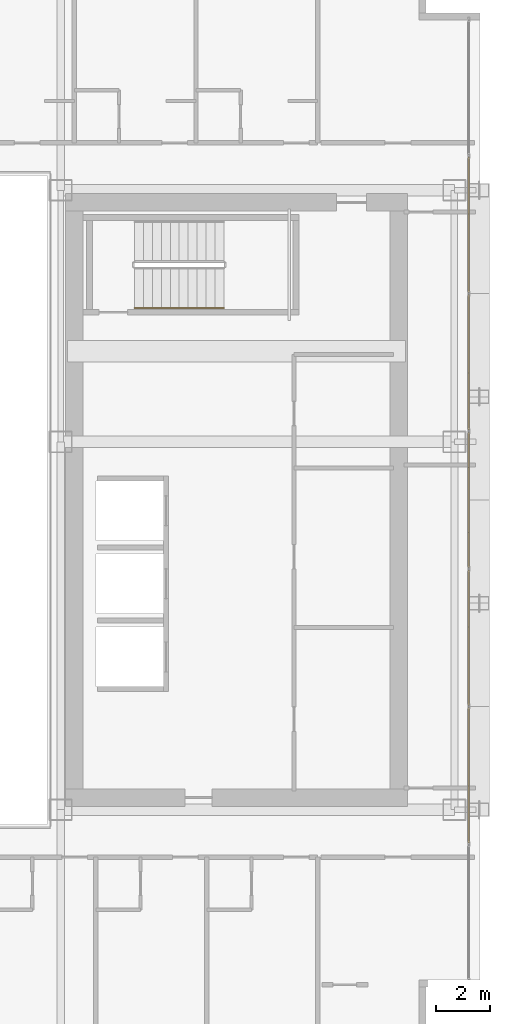
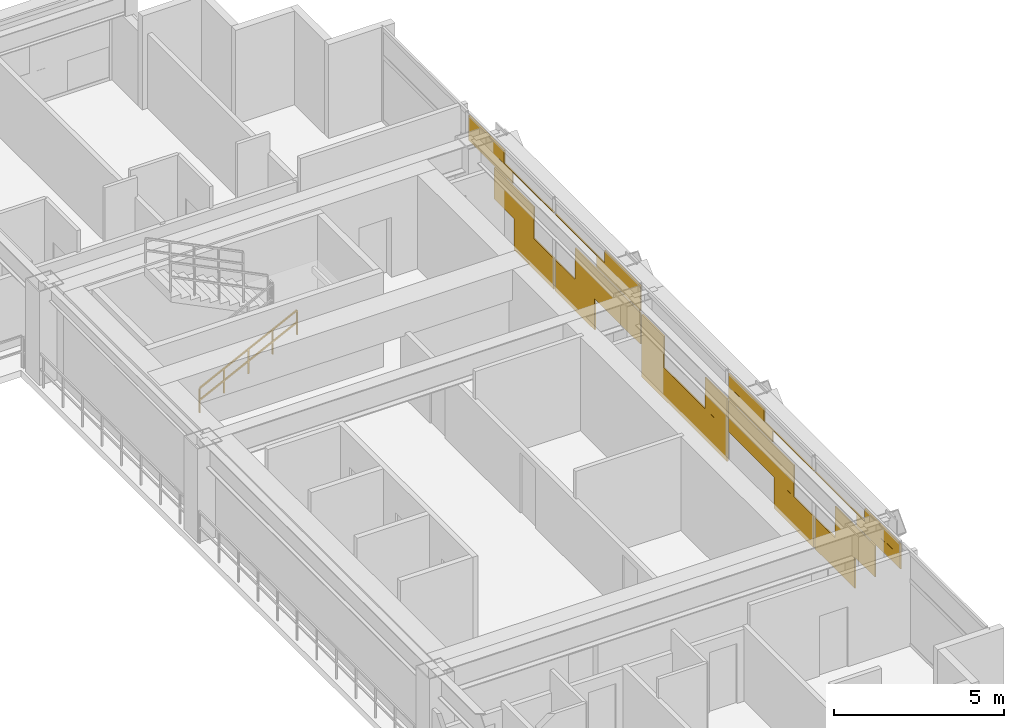
# One storey, part 35 of 36: 1 covering, 1 railing.
"""IFC4 building model written with IfcOpenShell, lengths in metres."""

from ifc_helpers import new_model, si_unit, direction, frame, origin, origin_2d, place, context, subcontext, project, spatial, rectangle, extrude, material, layer, layer_set, type_object, element, save


model = new_model("IFC4")

# Units and contexts
model_context = context("Model", 3, precision=1e-05, world=origin(), true_north=direction((0.0, 1.0)))
body_context = subcontext(model_context, "Body", "Model", "MODEL_VIEW")
ifc_project = project(units=[si_unit("LENGTHUNIT", "METRE"), si_unit("AREAUNIT", "SQUARE_METRE"), si_unit("VOLUMEUNIT", "CUBIC_METRE"), si_unit("PLANEANGLEUNIT", "RADIAN"), si_unit("MASSUNIT", "GRAM", prefix="KILO")], contexts=[model_context])

# Site, building, storey
site_placement = place(None, origin())
site = spatial("IfcSite", under=ifc_project, at=site_placement, CompositionType="ELEMENT")
building_placement = place(site_placement, origin())
building = spatial("IfcBuilding", under=site, at=building_placement, Name="Ocotamira Hotel", CompositionType="ELEMENT")
storey_placement = place(building_placement, frame((0.0, 0.0, 136.800048828125)))
storey = spatial("IfcBuildingStorey", under=building, at=storey_placement, Name="L34", CompositionType="ELEMENT", Elevation=136.800048828125)

# Covering
ifc_material_1 = material(Name="Insulated pale-metal aluminium spandrel panel", Category="aluminium")
ifc_layer = layer(ifc_material_1, 0.044921875)
ifc_layer_set = layer_set([ifc_layer], Name="Insulated pale-metal aluminium spandrel panel")
covering_type = type_object("IfcCoveringType", Name="COV-INFILL-45", PredefinedType="CLADDING", material=ifc_layer_set)
covering_placement = place(storey_placement, origin())
element("IfcCovering", 1, at=covering_placement, inside=storey, type_object=covering_type, Name="L34 Curtain Wall Infill CW-3 CW-L34-E", PredefinedType="CLADDING", context=body_context, shape_type="SweptSolid", body=[
    extrude(rectangle(XDim=2.35107421875, YDim=0.044921875, at=origin_2d()), frame((55.580078125, 15.988525390625, 1.19384765625), z_axis=(0.0, 0.0, 1.0), x_axis=(0.0, 1.0, 0.0)), (0.0, 0.0, 1.0), 1.117919921875),
    extrude(rectangle(XDim=2.331787109375, YDim=0.044921875, at=origin_2d()), frame((55.580078125, 17.1650390625, 0.0751953125), z_axis=(0.0, 0.0, 1.0), x_axis=(0.0, 1.0, 0.0)), (0.0, 0.0, 1.0), 1.117919921875),
    extrude(rectangle(XDim=2.572265625, YDim=0.044921875, at=origin_2d()), frame((55.580078125, 14.6123046875, 2.38818359375), z_axis=(0.0, 0.0, 1.0), x_axis=(0.0, 1.0, 0.0)), (0.0, 0.0, 1.0), 0.413330078125),
    extrude(rectangle(XDim=5.004638671875, YDim=0.044921875, at=origin_2d()), frame((55.580078125, 15.82861328125, 2.80224609375), z_axis=(0.0, 0.0, 1.0), x_axis=(0.0, 1.0, 0.0)), (0.0, 0.0, 1.0), 0.033203125),
    extrude(rectangle(XDim=2.096435546875, YDim=0.044921875, at=origin_2d()), frame((55.580078125, 14.37451171875, 2.836669921875), z_axis=(0.0, 0.0, 1.0), x_axis=(0.0, 1.0, 0.0)), (0.0, 0.0, 1.0), 0.44775390625),
    extrude(rectangle(XDim=2.322265625, YDim=0.044921875, at=origin_2d()), frame((55.580078125, 19.572998046875, 0.0751953125), z_axis=(0.0, 0.0, 1.0), x_axis=(0.0, 1.0, 0.0)), (0.0, 0.0, 1.0), 1.117919921875),
    extrude(rectangle(XDim=3.847412109375, YDim=0.044921875, at=origin_2d()), frame((55.580078125, 21.492919921875, 1.19384765625), z_axis=(0.0, 0.0, 1.0), x_axis=(0.0, 1.0, 0.0)), (0.0, 0.0, 1.0), 1.117919921875),
    extrude(rectangle(XDim=5.004638671875, YDim=0.044921875, at=origin_2d()), frame((55.580078125, 20.914306640625, 2.80224609375), z_axis=(0.0, 0.0, 1.0), x_axis=(0.0, 1.0, 0.0)), (0.0, 0.0, 1.0), 0.033203125),
    extrude(rectangle(XDim=2.581787109375, YDim=0.044921875, at=origin_2d()), frame((55.580078125, 22.125732421875, 2.38818359375), z_axis=(0.0, 0.0, 1.0), x_axis=(0.0, 1.0, 0.0)), (0.0, 0.0, 1.0), 0.413330078125),
    extrude(rectangle(XDim=2.106201171875, YDim=0.044921875, at=origin_2d()), frame((55.580078125, 22.363525390625, 2.836669921875), z_axis=(0.0, 0.0, 1.0), x_axis=(0.0, 1.0, 0.0)), (0.0, 0.0, 1.0), 0.44775390625),
    extrude(rectangle(XDim=5.004638671875, YDim=0.044921875, at=origin_2d()), frame((55.580078125, 26.0, 0.0751953125), z_axis=(0.0, 0.0, 1.0), x_axis=(0.0, 1.0, 0.0)), (0.0, 0.0, 1.0), 1.117919921875),
    extrude(rectangle(XDim=1.2998046875, YDim=0.044921875, at=origin_2d()), frame((55.580078125, 24.1474609375, 1.19384765625), z_axis=(0.0, 0.0, 1.0), x_axis=(0.0, 1.0, 0.0)), (0.0, 0.0, 1.0), 1.117919921875),
    extrude(rectangle(XDim=1.2998046875, YDim=0.044921875, at=origin_2d()), frame((55.580078125, 27.8525390625, 1.19384765625), z_axis=(0.0, 0.0, 1.0), x_axis=(0.0, 1.0, 0.0)), (0.0, 0.0, 1.0), 1.117919921875),
    extrude(rectangle(XDim=3.847412109375, YDim=0.044921875, at=origin_2d()), frame((55.580078125, 30.507080078125, 1.19384765625), z_axis=(0.0, 0.0, 1.0), x_axis=(0.0, 1.0, 0.0)), (0.0, 0.0, 1.0), 1.117919921875),
    extrude(rectangle(XDim=2.322265625, YDim=0.044921875, at=origin_2d()), frame((55.580078125, 32.427001953125, 0.0751953125), z_axis=(0.0, 0.0, 1.0), x_axis=(0.0, 1.0, 0.0)), (0.0, 0.0, 1.0), 1.117919921875),
    extrude(rectangle(XDim=2.581787109375, YDim=0.044921875, at=origin_2d()), frame((55.580078125, 29.874267578125, 2.38818359375), z_axis=(0.0, 0.0, 1.0), x_axis=(0.0, 1.0, 0.0)), (0.0, 0.0, 1.0), 0.413330078125),
    extrude(rectangle(XDim=5.004638671875, YDim=0.044921875, at=origin_2d()), frame((55.580078125, 31.085693359375, 2.80224609375), z_axis=(0.0, 0.0, 1.0), x_axis=(0.0, 1.0, 0.0)), (0.0, 0.0, 1.0), 0.033203125),
    extrude(rectangle(XDim=2.106201171875, YDim=0.044921875, at=origin_2d()), frame((55.580078125, 29.636474609375, 2.836669921875), z_axis=(0.0, 0.0, 1.0), x_axis=(0.0, 1.0, 0.0)), (0.0, 0.0, 1.0), 0.44775390625),
    extrude(rectangle(XDim=2.331787109375, YDim=0.044921875, at=origin_2d()), frame((55.580078125, 34.8349609375, 0.0751953125), z_axis=(0.0, 0.0, 1.0), x_axis=(0.0, 1.0, 0.0)), (0.0, 0.0, 1.0), 1.117919921875),
    extrude(rectangle(XDim=2.35107421875, YDim=0.044921875, at=origin_2d()), frame((55.580078125, 36.011474609375, 1.19384765625), z_axis=(0.0, 0.0, 1.0), x_axis=(0.0, 1.0, 0.0)), (0.0, 0.0, 1.0), 1.117919921875),
    extrude(rectangle(XDim=5.004638671875, YDim=0.044921875, at=origin_2d()), frame((55.580078125, 36.17138671875, 2.80224609375), z_axis=(0.0, 0.0, 1.0), x_axis=(0.0, 1.0, 0.0)), (0.0, 0.0, 1.0), 0.033203125),
    extrude(rectangle(XDim=2.572265625, YDim=0.044921875, at=origin_2d()), frame((55.580078125, 37.3876953125, 2.38818359375), z_axis=(0.0, 0.0, 1.0), x_axis=(0.0, 1.0, 0.0)), (0.0, 0.0, 1.0), 0.413330078125),
    extrude(rectangle(XDim=2.096435546875, YDim=0.044921875, at=origin_2d()), frame((55.580078125, 37.62548828125, 2.836669921875), z_axis=(0.0, 0.0, 1.0), x_axis=(0.0, 1.0, 0.0)), (0.0, 0.0, 1.0), 0.44775390625),
])

# Railing
ifc_material_2 = material(Name="Brushed stainless steel handrail", Category="steel")
railing_type = type_object("IfcRailingType", Name="RL-HAND-900", PredefinedType="HANDRAIL", material=ifc_material_2)
railing_placement = place(storey_placement, frame((43.22998046875, 33.10009765625, 0.3271484375)))
element("IfcRailing", 2, at=railing_placement, inside=storey, type_object=railing_type, Name="L34 ST-4 stair handrail 1", PredefinedType="HANDRAIL", context=body_context, shape_type="SweptSolid", body=[
    extrude(rectangle(XDim=0.048095703125, YDim=0.048095703125, at=origin_2d()), frame((0.0, 0.0, 0.8759765625), z_axis=(0.895893744519, 0.0, 0.4442683857), x_axis=(0.0, 1.0, 0.0)), (0.0, 0.0, 1.0), 3.68359375),
    extrude(rectangle(XDim=0.048095703125, YDim=0.048095703125, at=origin_2d()), frame((0.0, 0.0, 0.449951171875), z_axis=(0.895893744519, 0.0, 0.4442683857), x_axis=(0.0, 1.0, 0.0)), (0.0, 0.0, 1.0), 3.68359375),
    extrude(rectangle(XDim=0.0419921875, YDim=0.0419921875, at=origin_2d()), origin(), (0.0, 0.0, 1.0), 0.851806640625),
    extrude(rectangle(XDim=0.0419921875, YDim=0.0419921875, at=origin_2d()), frame((0.824951171875, 0.0, 0.4091796875)), (0.0, 0.0, 1.0), 0.851806640625),
    extrude(rectangle(XDim=0.0419921875, YDim=0.0419921875, at=origin_2d()), frame((1.64990234375, 0.0, 0.818359375)), (0.0, 0.0, 1.0), 0.851806640625),
    extrude(rectangle(XDim=0.0419921875, YDim=0.0419921875, at=origin_2d()), frame((2.47509765625, 0.0, 1.227294921875)), (0.0, 0.0, 1.0), 0.851806640625),
    extrude(rectangle(XDim=0.0419921875, YDim=0.0419921875, at=origin_2d()), frame((3.300048828125, 0.0, 1.636474609375)), (0.0, 0.0, 1.0), 0.851806640625),
])

save(model, "model.ifc")
